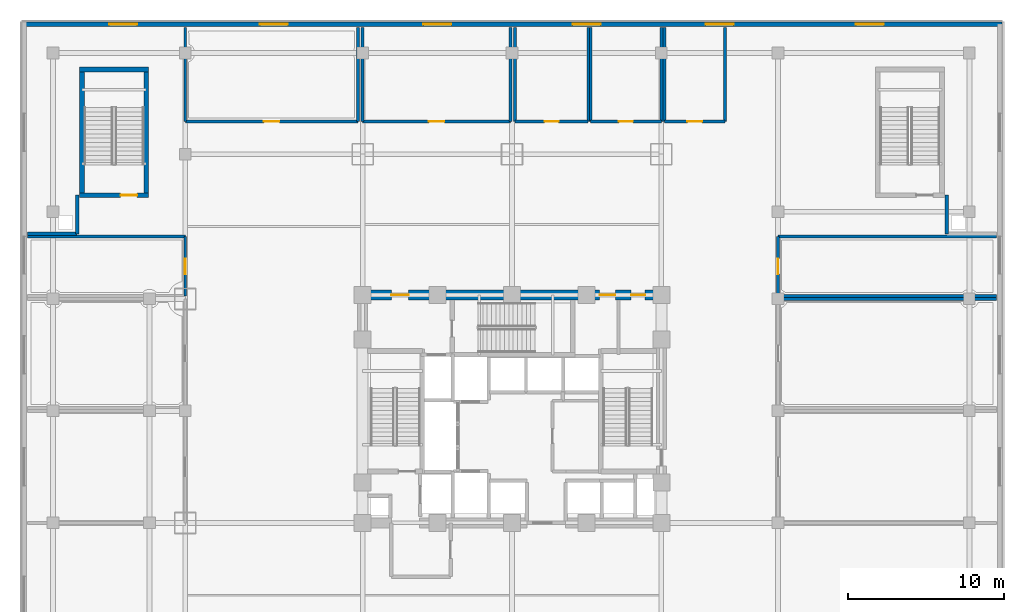
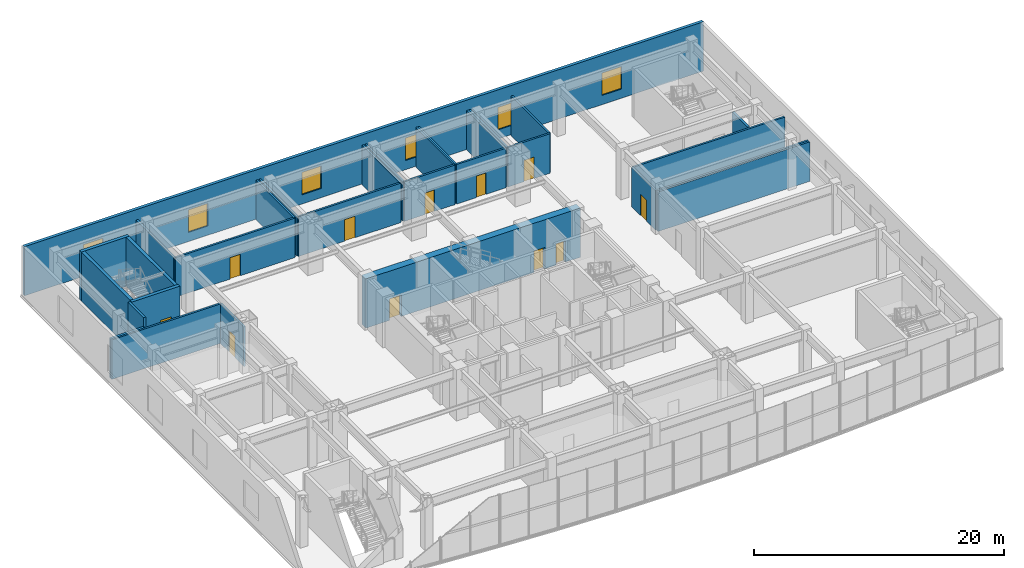
# One storey, part 14 of 24: 30 walls, 11 doors, 6 windows, 17 openings.
"""IFC4 building model written with IfcOpenShell, lengths in metres."""

from ifc_helpers import new_model, si_unit, direction, frame, frame_2d, origin, place, context, subcontext, project, spatial, rectangle, extrude, material, layer, layer_set, type_object, element, fill, save


model = new_model("IFC4")

# Units and contexts
model_context = context("Model", 3, precision=1e-05, world=origin(), true_north=direction((0.0, 1.0)))
body_context = subcontext(model_context, "Body", "Model", "MODEL_VIEW")
ifc_project = project(units=[si_unit("LENGTHUNIT", "METRE"), si_unit("AREAUNIT", "SQUARE_METRE"), si_unit("VOLUMEUNIT", "CUBIC_METRE"), si_unit("PLANEANGLEUNIT", "RADIAN"), si_unit("MASSUNIT", "GRAM", prefix="KILO")], contexts=[model_context])

# Site, building, storey
site_placement = place(None, origin())
site = spatial("IfcSite", under=ifc_project, at=site_placement, CompositionType="ELEMENT")
building_placement = place(site_placement, origin())
building = spatial("IfcBuilding", under=site, at=building_placement, Name="Vantalir Tower", CompositionType="ELEMENT")
storey_placement = place(building_placement, frame((0.0, 0.0, 11.0)))
storey = spatial("IfcBuildingStorey", under=building, at=storey_placement, Name="L02", CompositionType="ELEMENT", Elevation=11.0)

# Wall, openings, doors
ifc_material_1 = material(Name="Concrete C60/75", Category="concrete")
ifc_layer_1 = layer(ifc_material_1, 0.64990234375)
ifc_layer_set_1 = layer_set([ifc_layer_1], Name="Concrete C60/75")
wall_type_1 = type_object("IfcWallType", Name="WL-CORE-650", PredefinedType="SHEAR", material=ifc_layer_set_1)
wall_1_placement = place(storey_placement, frame((21.574951171875, 32.449951171875, 0.0), z_axis=(0.0, 0.0, 1.0), x_axis=(1.0, 0.0, 0.0)))
wall_1 = element("IfcWall", 1, at=wall_1_placement, inside=storey, type_object=wall_type_1, Name="Floor 2 Core Shear Wall North", PredefinedType="SHEAR", context=body_context, shape_type="SweptSolid", body=[
    extrude(rectangle(XDim=19.85009765625, YDim=0.64990234375, at=frame_2d((9.925048828125, 0.0))), origin(), (0.0, 0.0, 1.0), 4.820068359375),
])
opening_1_placement = place(wall_1_placement, frame((2.175048828125, 0.0, 0.0)))
opening_1 = element("IfcOpeningElement", 2, at=opening_1_placement, cuts=wall_1, Name="Opening D-FFL", PredefinedType="OPENING", context=body_context, shape_type="SweptSolid", body=[
    extrude(rectangle(XDim=1.10009765625, YDim=2.10009765625, at=frame_2d((0.550048828125, 1.050048828125))), frame((0.0, 0.3349609375, 0.0), z_axis=(0.0, -1.0, 0.0), x_axis=(1.0, 0.0, 0.0)), (0.0, 0.0, 1.0), 0.669921875),
])
opening_2_placement = place(wall_1_placement, frame((15.56494140625, 0.0, 0.0)))
opening_2 = element("IfcOpeningElement", 3, at=opening_2_placement, cuts=wall_1, Name="Opening D-GUEST", PredefinedType="OPENING", context=body_context, shape_type="SweptSolid", body=[
    extrude(rectangle(XDim=1.0, YDim=2.10009765625, at=frame_2d((0.5, 1.050048828125))), frame((0.0, 0.3349609375, 0.0), z_axis=(0.0, -1.0, 0.0), x_axis=(1.0, 0.0, 0.0)), (0.0, 0.0, 1.0), 0.669921875),
])
opening_3_placement = place(wall_1_placement, frame((17.574951171875, 0.0, 0.0)))
opening_3 = element("IfcOpeningElement", 4, at=opening_3_placement, cuts=wall_1, Name="Opening D-CR", PredefinedType="OPENING", context=body_context, shape_type="SweptSolid", body=[
    extrude(rectangle(XDim=0.89990234375, YDim=2.10009765625, at=frame_2d((0.449951171875, 1.050048828125))), frame((0.0, 0.3349609375, 0.0), z_axis=(0.0, -1.0, 0.0), x_axis=(1.0, 0.0, 0.0)), (0.0, 0.0, 1.0), 0.669921875),
])
ifc_material_2 = material(Name="Fire-rated steel core service door", Category="steel")
door_type_1 = type_object("IfcDoorType", Name="DR-CORE-SERV-900", OperationType="NOTDEFINED", PredefinedType="DOOR", material=ifc_material_2)
door_1_placement = place(opening_3_placement, frame((0.89990234375, 0.0, 0.0), z_axis=(0.0, 0.0, 1.0), x_axis=(-1.0, 0.0, 0.0)))
door_1 = element("IfcDoor", 5, at=door_1_placement, inside=storey, type_object=door_type_1, Name="Floor 2 Housekeeping and Linen Room Door", OperationType="SINGLE_SWING_RIGHT", OverallHeight=2.10009765625, OverallWidth=0.89990234375, PredefinedType="DOOR", context=body_context, shape_type="SweptSolid", body=[
    extrude(rectangle(XDim=0.89990234375, YDim=2.10009765625, at=frame_2d((0.449951171875, 1.050048828125))), frame((0.0, 0.02490234375, 0.0), z_axis=(0.0, -1.0, 0.0), x_axis=(1.0, 0.0, 0.0)), (0.0, 0.0, 1.0), 0.050048828125),
])
fill(opening_3, door_1)
ifc_material_3 = material(Name="Fire-rated acoustic steel door", Category="steel")
door_type_2 = type_object("IfcDoorType", Name="DR-FIRE-LOBBY-1100", OperationType="NOTDEFINED", PredefinedType="DOOR", material=ifc_material_3)
door_2_placement = place(opening_1_placement, frame((1.10009765625, 0.0, 0.0), z_axis=(0.0, 0.0, 1.0), x_axis=(-1.0, 0.0, 0.0)))
door_2 = element("IfcDoor", 6, at=door_2_placement, inside=storey, type_object=door_type_2, Name="Floor 2 Firefighting Lobby East Access Door", OperationType="SINGLE_SWING_RIGHT", OverallHeight=2.10009765625, OverallWidth=1.10009765625, PredefinedType="DOOR", context=body_context, shape_type="SweptSolid", body=[
    extrude(rectangle(XDim=1.10009765625, YDim=2.10009765625, at=frame_2d((0.550048828125, 1.050048828125))), frame((0.0, 0.02490234375, 0.0), z_axis=(0.0, -1.0, 0.0), x_axis=(1.0, 0.0, 0.0)), (0.0, 0.0, 1.0), 0.050048828125),
])
fill(opening_1, door_2)
ifc_material_4 = material(Name="Solid-core teak veneer acoustic fire door", Category="wood")
door_type_3 = type_object("IfcDoorType", Name="DR-GUEST-ENTRY-1000", OperationType="NOTDEFINED", PredefinedType="DOOR", material=ifc_material_4)
door_3_placement = place(opening_2_placement, frame((1.0, 0.0, 0.0), z_axis=(0.0, 0.0, 1.0), x_axis=(-1.0, 0.0, 0.0)))
door_3 = element("IfcDoor", 7, at=door_3_placement, inside=storey, type_object=door_type_3, Name="Floor 2 High-Rise Lift Lobby Door", OperationType="SINGLE_SWING_LEFT", OverallHeight=2.10009765625, OverallWidth=1.0, PredefinedType="DOOR", context=body_context, shape_type="SweptSolid", body=[
    extrude(rectangle(XDim=1.0, YDim=2.10009765625, at=frame_2d((0.5, 1.050048828125))), frame((0.0, 0.02490234375, 0.0), z_axis=(0.0, -1.0, 0.0), x_axis=(1.0, 0.0, 0.0)), (0.0, 0.0, 1.0), 0.050048828125),
])
fill(opening_2, door_3)

# Wall, openings, windows
ifc_material_5 = material(Name="Precast concrete C40/50 with insulated PVDF rainscreen", Category="concrete")
ifc_layer_2 = layer(ifc_material_5, 0.280029296875)
ifc_layer_set_2 = layer_set([ifc_layer_2], Name="Precast concrete C40/50 with insulated PVDF rainscreen")
wall_type_2 = type_object("IfcWallType", Name="WL-EXT-POD-280", PredefinedType="SOLIDWALL", material=ifc_layer_set_2)
wall_2_placement = place(storey_placement, frame((63.0, 49.860107421875, 0.0), z_axis=(0.0, 0.0, 1.0), x_axis=(-1.0, 0.0, 0.0)))
wall_2 = element("IfcWall", 8, at=wall_2_placement, inside=storey, type_object=wall_type_2, Name="Level 02 Podium North Street Facade Wall", PredefinedType="SOLIDWALL", context=body_context, shape_type="SweptSolid", body=[
    extrude(rectangle(XDim=62.860107421875, YDim=0.280029296875, at=frame_2d((31.43017578125, 0.0))), origin(), (0.0, 0.0, 1.0), 4.820068359375),
])
opening_4_placement = place(wall_2_placement, frame((55.60009765625, 0.0, 0.89990234375)))
opening_4 = element("IfcOpeningElement", 9, at=opening_4_placement, cuts=wall_2, Name="Opening WN-2", PredefinedType="OPENING", context=body_context, shape_type="SweptSolid", body=[
    extrude(rectangle(XDim=1.800048828125, YDim=2.199951171875, at=frame_2d((0.89990234375, 1.10009765625))), frame((0.0, 0.14990234375, 0.0), z_axis=(0.0, -1.0, 0.0), x_axis=(1.0, 0.0, 0.0)), (0.0, 0.0, 1.0), 0.300048828125),
])
opening_5_placement = place(wall_2_placement, frame((45.89990234375, 0.0, 0.89990234375)))
opening_5 = element("IfcOpeningElement", 10, at=opening_5_placement, cuts=wall_2, Name="Opening WN-2", PredefinedType="OPENING", context=body_context, shape_type="SweptSolid", body=[
    extrude(rectangle(XDim=1.800048828125, YDim=2.199951171875, at=frame_2d((0.89990234375, 1.10009765625))), frame((0.0, 0.14990234375, 0.0), z_axis=(0.0, -1.0, 0.0), x_axis=(1.0, 0.0, 0.0)), (0.0, 0.0, 1.0), 0.300048828125),
])
opening_6_placement = place(wall_2_placement, frame((35.39990234375, 0.0, 0.89990234375)))
opening_6 = element("IfcOpeningElement", 11, at=opening_6_placement, cuts=wall_2, Name="Opening WN-2", PredefinedType="OPENING", context=body_context, shape_type="SweptSolid", body=[
    extrude(rectangle(XDim=1.800048828125, YDim=2.199951171875, at=frame_2d((0.89990234375, 1.10009765625))), frame((0.0, 0.14990234375, 0.0), z_axis=(0.0, -1.0, 0.0), x_axis=(1.0, 0.0, 0.0)), (0.0, 0.0, 1.0), 0.300048828125),
])
opening_7_placement = place(wall_2_placement, frame((25.800048828125, 0.0, 0.89990234375)))
opening_7 = element("IfcOpeningElement", 12, at=opening_7_placement, cuts=wall_2, Name="Opening WN-2", PredefinedType="OPENING", context=body_context, shape_type="SweptSolid", body=[
    extrude(rectangle(XDim=1.800048828125, YDim=2.199951171875, at=frame_2d((0.89990234375, 1.10009765625))), frame((0.0, 0.14990234375, 0.0), z_axis=(0.0, -1.0, 0.0), x_axis=(1.0, 0.0, 0.0)), (0.0, 0.0, 1.0), 0.300048828125),
])
opening_8_placement = place(wall_2_placement, frame((17.25, 0.0, 0.89990234375)))
opening_8 = element("IfcOpeningElement", 13, at=opening_8_placement, cuts=wall_2, Name="Opening WN-2", PredefinedType="OPENING", context=body_context, shape_type="SweptSolid", body=[
    extrude(rectangle(XDim=1.800048828125, YDim=2.199951171875, at=frame_2d((0.89990234375, 1.10009765625))), frame((0.0, 0.14990234375, 0.0), z_axis=(0.0, -1.0, 0.0), x_axis=(1.0, 0.0, 0.0)), (0.0, 0.0, 1.0), 0.300048828125),
])
opening_9_placement = place(wall_2_placement, frame((7.60009765625, 0.0, 0.89990234375)))
opening_9 = element("IfcOpeningElement", 14, at=opening_9_placement, cuts=wall_2, Name="Opening WN-2", PredefinedType="OPENING", context=body_context, shape_type="SweptSolid", body=[
    extrude(rectangle(XDim=1.800048828125, YDim=2.199951171875, at=frame_2d((0.89990234375, 1.10009765625))), frame((0.0, 0.14990234375, 0.0), z_axis=(0.0, -1.0, 0.0), x_axis=(1.0, 0.0, 0.0)), (0.0, 0.0, 1.0), 0.300048828125),
])
ifc_material_6 = material(Name="Double-silver Low-E thermally broken window", Category="glass")
window_type = type_object("IfcWindowType", Name="WIN-POD-1800x2200", PartitioningType="SINGLE_PANEL", PredefinedType="WINDOW", material=ifc_material_6)
window_1_placement = place(opening_4_placement, origin())
window_1 = element("IfcWindow", 15, at=window_1_placement, inside=storey, type_object=window_type, Name="Level 02 North Podium Window N01", OverallHeight=2.199951171875, OverallWidth=1.800048828125, PartitioningType="SINGLE_PANEL", PredefinedType="WINDOW", context=body_context, shape_type="SweptSolid", body=[
    extrude(rectangle(XDim=1.800048828125, YDim=2.199951171875, at=frame_2d((0.89990234375, 1.10009765625))), frame((0.0, 0.030029296875, 0.0), z_axis=(0.0, -1.0, 0.0), x_axis=(1.0, 0.0, 0.0)), (0.0, 0.0, 1.0), 0.06005859375),
])
fill(opening_4, window_1)
window_2_placement = place(opening_5_placement, origin())
window_2 = element("IfcWindow", 16, at=window_2_placement, inside=storey, type_object=window_type, Name="Level 02 North Podium Window N02", OverallHeight=2.199951171875, OverallWidth=1.800048828125, PartitioningType="SINGLE_PANEL", PredefinedType="WINDOW", context=body_context, shape_type="SweptSolid", body=[
    extrude(rectangle(XDim=1.800048828125, YDim=2.199951171875, at=frame_2d((0.89990234375, 1.10009765625))), frame((0.0, 0.030029296875, 0.0), z_axis=(0.0, -1.0, 0.0), x_axis=(1.0, 0.0, 0.0)), (0.0, 0.0, 1.0), 0.06005859375),
])
fill(opening_5, window_2)
window_3_placement = place(opening_6_placement, origin())
window_3 = element("IfcWindow", 17, at=window_3_placement, inside=storey, type_object=window_type, Name="Level 02 North Podium Window N03", OverallHeight=2.199951171875, OverallWidth=1.800048828125, PartitioningType="SINGLE_PANEL", PredefinedType="WINDOW", context=body_context, shape_type="SweptSolid", body=[
    extrude(rectangle(XDim=1.800048828125, YDim=2.199951171875, at=frame_2d((0.89990234375, 1.10009765625))), frame((0.0, 0.030029296875, 0.0), z_axis=(0.0, -1.0, 0.0), x_axis=(1.0, 0.0, 0.0)), (0.0, 0.0, 1.0), 0.06005859375),
])
fill(opening_6, window_3)
window_4_placement = place(opening_7_placement, origin())
window_4 = element("IfcWindow", 18, at=window_4_placement, inside=storey, type_object=window_type, Name="Level 02 North Podium Window N04", OverallHeight=2.199951171875, OverallWidth=1.800048828125, PartitioningType="SINGLE_PANEL", PredefinedType="WINDOW", context=body_context, shape_type="SweptSolid", body=[
    extrude(rectangle(XDim=1.800048828125, YDim=2.199951171875, at=frame_2d((0.89990234375, 1.10009765625))), frame((0.0, 0.030029296875, 0.0), z_axis=(0.0, -1.0, 0.0), x_axis=(1.0, 0.0, 0.0)), (0.0, 0.0, 1.0), 0.06005859375),
])
fill(opening_7, window_4)
window_5_placement = place(opening_8_placement, origin())
window_5 = element("IfcWindow", 19, at=window_5_placement, inside=storey, type_object=window_type, Name="Level 02 North Podium Window N05", OverallHeight=2.199951171875, OverallWidth=1.800048828125, PartitioningType="SINGLE_PANEL", PredefinedType="WINDOW", context=body_context, shape_type="SweptSolid", body=[
    extrude(rectangle(XDim=1.800048828125, YDim=2.199951171875, at=frame_2d((0.89990234375, 1.10009765625))), frame((0.0, 0.030029296875, 0.0), z_axis=(0.0, -1.0, 0.0), x_axis=(1.0, 0.0, 0.0)), (0.0, 0.0, 1.0), 0.06005859375),
])
fill(opening_8, window_5)
window_6_placement = place(opening_9_placement, origin())
window_6 = element("IfcWindow", 20, at=window_6_placement, inside=storey, type_object=window_type, Name="Level 02 North Podium Window N06", OverallHeight=2.199951171875, OverallWidth=1.800048828125, PartitioningType="SINGLE_PANEL", PredefinedType="WINDOW", context=body_context, shape_type="SweptSolid", body=[
    extrude(rectangle(XDim=1.800048828125, YDim=2.199951171875, at=frame_2d((0.89990234375, 1.10009765625))), frame((0.0, 0.030029296875, 0.0), z_axis=(0.0, -1.0, 0.0), x_axis=(1.0, 0.0, 0.0)), (0.0, 0.0, 1.0), 0.06005859375),
])
fill(opening_9, window_6)

# Walls
ifc_material_7 = material(Name="Concrete blockwork with fireboard lining", Category="masonry")
ifc_layer_3 = layer(ifc_material_7, 0.219970703125)
ifc_layer_set_3 = layer_set([ifc_layer_3], Name="Concrete blockwork with fireboard lining")
wall_type_3 = type_object("IfcWallType", Name="WL-FFL-220", PredefinedType="PARTITIONING", material=ifc_layer_set_3)
wall_3_placement = place(storey_placement, frame((0.35009765625, 36.3798828125, 0.0), z_axis=(0.0, 0.0, 1.0), x_axis=(1.0, 0.0, 0.0)))
element("IfcWall", 21, at=wall_3_placement, inside=storey, type_object=wall_type_3, Name="Floor 2 North-West Service Riser South Wall", PredefinedType="PARTITIONING", context=body_context, shape_type="SweptSolid", body=[
    extrude(rectangle(XDim=3.199951171875, YDim=0.219970703125, at=frame_2d((1.60009765625, 0.0))), origin(), (0.0, 0.0, 1.0), 3.867919921875),
])
wall_4_placement = place(storey_placement, frame((3.550048828125, 36.3798828125, 0.0), z_axis=(0.0, 0.0, 1.0), x_axis=(0.0, 1.0, 0.0)))
element("IfcWall", 22, at=wall_4_placement, inside=storey, type_object=wall_type_3, Name="Floor 2 North-West Service Riser East Wall", PredefinedType="PARTITIONING", context=body_context, shape_type="SweptSolid", body=[
    extrude(rectangle(XDim=2.480224609375, YDim=0.219970703125, at=frame_2d((1.240234375, 0.0))), origin(), (0.0, 0.0, 1.0), 4.800048828125),
])
wall_5_placement = place(storey_placement, frame((59.449951171875, 36.3798828125, 0.0), z_axis=(0.0, 0.0, 1.0), x_axis=(0.0, 1.0, 0.0)))
element("IfcWall", 23, at=wall_5_placement, inside=storey, type_object=wall_type_3, Name="Floor 2 North-East Service Riser West Wall", PredefinedType="PARTITIONING", context=body_context, shape_type="SweptSolid", body=[
    extrude(rectangle(XDim=2.480224609375, YDim=0.219970703125, at=frame_2d((1.240234375, 0.0))), origin(), (0.0, 0.0, 1.0), 3.867919921875),
])
ifc_material_8 = material(Name="Twin-stud acoustic fire-rated gypsum partition", Category="gypsum")
ifc_layer_4 = layer(ifc_material_8, 0.179931640625)
ifc_layer_set_4 = layer_set([ifc_layer_4], Name="Twin-stud acoustic fire-rated gypsum partition")
wall_type_4 = type_object("IfcWallType", Name="WL-GUEST-180", PredefinedType="PARTITIONING", material=ifc_layer_set_4)
wall_6_placement = place(storey_placement, frame((0.35009765625, 36.199951171875, 0.0), z_axis=(0.0, 0.0, 1.0), x_axis=(1.0, 0.0, 0.0)))
element("IfcWall", 24, at=wall_6_placement, inside=storey, type_object=wall_type_4, Name="Floor 2 Seminar Room 1 North Wall", PredefinedType="PARTITIONING", context=body_context, shape_type="SweptSolid", body=[
    extrude(rectangle(XDim=10.14990234375, YDim=0.179931640625, at=frame_2d((5.074951171875, 0.0))), origin(), (0.0, 0.0, 1.0), 3.867919921875),
])

# Wall, opening, door
wall_7_placement = place(storey_placement, frame((10.5, 32.3798828125, 0.0), z_axis=(0.0, 0.0, 1.0), x_axis=(0.0, 1.0, 0.0)))
wall_7 = element("IfcWall", 25, at=wall_7_placement, inside=storey, type_object=wall_type_4, Name="Floor 2 Seminar Room 1 East Wall", PredefinedType="PARTITIONING", context=body_context, shape_type="SweptSolid", body=[
    extrude(rectangle(XDim=3.820068359375, YDim=0.179931640625, at=frame_2d((1.91015625, 0.0))), origin(), (0.0, 0.0, 1.0), 3.867919921875),
])
opening_10_placement = place(wall_7_placement, frame((1.409912109375, 0.0, 0.0)))
opening_10 = element("IfcOpeningElement", 26, at=opening_10_placement, cuts=wall_7, Name="Opening D-GUEST", PredefinedType="OPENING", context=body_context, shape_type="SweptSolid", body=[
    extrude(rectangle(XDim=1.0, YDim=2.10009765625, at=frame_2d((0.5, 1.050048828125))), frame((0.0, 0.099853515625, 0.0), z_axis=(0.0, -1.0, 0.0), x_axis=(1.0, 0.0, 0.0)), (0.0, 0.0, 1.0), 0.199951171875),
])
door_4_placement = place(opening_10_placement, origin())
door_4 = element("IfcDoor", 27, at=door_4_placement, inside=storey, type_object=door_type_3, Name="Floor 2 Seminar Room 1 Door", OperationType="SINGLE_SWING_RIGHT", OverallHeight=2.10009765625, OverallWidth=1.0, PredefinedType="DOOR", context=body_context, shape_type="SweptSolid", body=[
    extrude(rectangle(XDim=1.0, YDim=2.10009765625, at=frame_2d((0.5, 1.050048828125))), frame((0.0, 0.02490234375, 0.0), z_axis=(0.0, -1.0, 0.0), x_axis=(1.0, 0.0, 0.0)), (0.0, 0.0, 1.0), 0.050048828125),
])
fill(opening_10, door_4)

# Walls
for number, where, z_axis, x_axis, name in (
    (28, (48.60009765625, 32.199951171875, 0.0), (0.0, 0.0, 1.0), (1.0, 0.0, 0.0), "Floor 2 Conference Room 2 North Wall"),
    (29, (48.60009765625, 32.3798828125, 0.0), (0.0, 0.0, 1.0), (1.0, 0.0, 0.0), "Floor 2 Seminar Room 2 South Wall"),
    (30, (48.60009765625, 36.199951171875, 0.0), (0.0, 0.0, 1.0), (1.0, 0.0, 0.0), "Floor 2 Seminar Room 2 North Wall"),
):
    element("IfcWall", number, at=place(storey_placement, frame(where, z_axis=z_axis, x_axis=x_axis)), inside=storey, type_object=wall_type_4, Name=name, PredefinedType="PARTITIONING", context=body_context, shape_type="SweptSolid", body=[
        extrude(rectangle(XDim=14.0498046875, YDim=0.179931640625, at=frame_2d((7.02490234375, 0.0))), origin(), (0.0, 0.0, 1.0), 3.867919921875),
    ])

# Wall, opening, door
wall_8_placement = place(storey_placement, frame((48.60009765625, 32.3798828125, 0.0), z_axis=(0.0, 0.0, 1.0), x_axis=(0.0, 1.0, 0.0)))
wall_8 = element("IfcWall", 31, at=wall_8_placement, inside=storey, type_object=wall_type_4, Name="Floor 2 Seminar Room 2 West Wall", PredefinedType="PARTITIONING", context=body_context, shape_type="SweptSolid", body=[
    extrude(rectangle(XDim=3.820068359375, YDim=0.179931640625, at=frame_2d((1.91015625, 0.0))), origin(), (0.0, 0.0, 1.0), 3.867919921875),
])
opening_11_placement = place(wall_8_placement, frame((1.409912109375, 0.0, 0.0)))
opening_11 = element("IfcOpeningElement", 32, at=opening_11_placement, cuts=wall_8, Name="Opening D-GUEST", PredefinedType="OPENING", context=body_context, shape_type="SweptSolid", body=[
    extrude(rectangle(XDim=1.0, YDim=2.10009765625, at=frame_2d((0.5, 1.050048828125))), frame((0.0, 0.099853515625, 0.0), z_axis=(0.0, -1.0, 0.0), x_axis=(1.0, 0.0, 0.0)), (0.0, 0.0, 1.0), 0.199951171875),
])
door_5_placement = place(opening_11_placement, frame((1.0, 0.0, 0.0), z_axis=(0.0, 0.0, 1.0), x_axis=(-1.0, 0.0, 0.0)))
door_5 = element("IfcDoor", 33, at=door_5_placement, inside=storey, type_object=door_type_3, Name="Floor 2 Seminar Room 2 Door", OperationType="SINGLE_SWING_RIGHT", OverallHeight=2.10009765625, OverallWidth=1.0, PredefinedType="DOOR", context=body_context, shape_type="SweptSolid", body=[
    extrude(rectangle(XDim=1.0, YDim=2.10009765625, at=frame_2d((0.5, 1.050048828125))), frame((0.0, 0.02490234375, 0.0), z_axis=(0.0, -1.0, 0.0), x_axis=(1.0, 0.0, 0.0)), (0.0, 0.0, 1.0), 0.050048828125),
])
fill(opening_11, door_5)

wall_9_placement = place(storey_placement, frame((10.5, 43.60009765625, 0.0), z_axis=(0.0, 0.0, 1.0), x_axis=(1.0, 0.0, 0.0)))
wall_9 = element("IfcWall", 34, at=wall_9_placement, inside=storey, type_object=wall_type_4, Name="Floor 2 Conference Administration Office South Wall", PredefinedType="PARTITIONING", context=body_context, shape_type="SweptSolid", body=[
    extrude(rectangle(XDim=11.10009765625, YDim=0.179931640625, at=frame_2d((5.550048828125, 0.0))), origin(), (0.0, 0.0, 1.0), 3.867919921875),
])
opening_12_placement = place(wall_9_placement, frame((5.050048828125, 0.0, 0.0)))
opening_12 = element("IfcOpeningElement", 35, at=opening_12_placement, cuts=wall_9, Name="Opening D-GUEST", PredefinedType="OPENING", context=body_context, shape_type="SweptSolid", body=[
    extrude(rectangle(XDim=1.0, YDim=2.10009765625, at=frame_2d((0.5, 1.050048828125))), frame((0.0, 0.099853515625, 0.0), z_axis=(0.0, -1.0, 0.0), x_axis=(1.0, 0.0, 0.0)), (0.0, 0.0, 1.0), 0.199951171875),
])
door_6_placement = place(opening_12_placement, origin())
door_6 = element("IfcDoor", 36, at=door_6_placement, inside=storey, type_object=door_type_3, Name="Floor 2 Conference Administration Office Door", OperationType="SINGLE_SWING_LEFT", OverallHeight=2.10009765625, OverallWidth=1.0, PredefinedType="DOOR", context=body_context, shape_type="SweptSolid", body=[
    extrude(rectangle(XDim=1.0, YDim=2.10009765625, at=frame_2d((0.5, 1.050048828125))), frame((0.0, 0.02490234375, 0.0), z_axis=(0.0, -1.0, 0.0), x_axis=(1.0, 0.0, 0.0)), (0.0, 0.0, 1.0), 0.050048828125),
])
fill(opening_12, door_6)

# Walls
for number, where, z_axis, x_axis, name in (
    (37, (10.5, 43.60009765625, 0.0), (0.0, 0.0, 1.0), (0.0, 1.0, 0.0), "Floor 2 Conference Administration Office West Wall"),
    (38, (21.60009765625, 43.60009765625, 0.0), (0.0, 0.0, 1.0), (0.0, 1.0, 0.0), "Floor 2 Conference Administration Office East Wall"),
):
    element("IfcWall", number, at=place(storey_placement, frame(where, z_axis=z_axis, x_axis=x_axis)), inside=storey, type_object=wall_type_4, Name=name, PredefinedType="PARTITIONING", context=body_context, shape_type="SweptSolid", body=[
        extrude(rectangle(XDim=6.0498046875, YDim=0.179931640625, at=frame_2d((3.02490234375, 0.0))), origin(), (0.0, 0.0, 1.0), 3.867919921875),
    ])

# Wall, opening, door
wall_10_placement = place(storey_placement, frame((21.89990234375, 43.60009765625, 0.0), z_axis=(0.0, 0.0, 1.0), x_axis=(1.0, 0.0, 0.0)))
wall_10 = element("IfcWall", 39, at=wall_10_placement, inside=storey, type_object=wall_type_4, Name="Floor 2 Conference Banquet Kitchen South Wall", PredefinedType="PARTITIONING", context=body_context, shape_type="SweptSolid", body=[
    extrude(rectangle(XDim=9.5, YDim=0.179931640625, at=frame_2d((4.75, 0.0))), origin(), (0.0, 0.0, 1.0), 3.867919921875),
])
opening_13_placement = place(wall_10_placement, frame((4.25, 0.0, 0.0)))
opening_13 = element("IfcOpeningElement", 40, at=opening_13_placement, cuts=wall_10, Name="Opening D-GUEST", PredefinedType="OPENING", context=body_context, shape_type="SweptSolid", body=[
    extrude(rectangle(XDim=1.0, YDim=2.10009765625, at=frame_2d((0.5, 1.050048828125))), frame((0.0, 0.099853515625, 0.0), z_axis=(0.0, -1.0, 0.0), x_axis=(1.0, 0.0, 0.0)), (0.0, 0.0, 1.0), 0.199951171875),
])
door_7_placement = place(opening_13_placement, origin())
door_7 = element("IfcDoor", 41, at=door_7_placement, inside=storey, type_object=door_type_3, Name="Floor 2 Conference Banquet Kitchen Door", OperationType="SINGLE_SWING_RIGHT", OverallHeight=2.10009765625, OverallWidth=1.0, PredefinedType="DOOR", context=body_context, shape_type="SweptSolid", body=[
    extrude(rectangle(XDim=1.0, YDim=2.10009765625, at=frame_2d((0.5, 1.050048828125))), frame((0.0, 0.02490234375, 0.0), z_axis=(0.0, -1.0, 0.0), x_axis=(1.0, 0.0, 0.0)), (0.0, 0.0, 1.0), 0.050048828125),
])
fill(opening_13, door_7)

# Walls
for number, where, z_axis, x_axis, name in (
    (42, (21.89990234375, 43.60009765625, 0.0), (0.0, 0.0, 1.0), (0.0, 1.0, 0.0), "Floor 2 Conference Banquet Kitchen West Wall"),
    (43, (31.39990234375, 43.60009765625, 0.0), (0.0, 0.0, 1.0), (0.0, 1.0, 0.0), "Floor 2 Conference Banquet Kitchen East Wall"),
):
    element("IfcWall", number, at=place(storey_placement, frame(where, z_axis=z_axis, x_axis=x_axis)), inside=storey, type_object=wall_type_4, Name=name, PredefinedType="PARTITIONING", context=body_context, shape_type="SweptSolid", body=[
        extrude(rectangle(XDim=6.0498046875, YDim=0.179931640625, at=frame_2d((3.02490234375, 0.0))), origin(), (0.0, 0.0, 1.0), 3.867919921875),
    ])

# Wall, opening, door
wall_11_placement = place(storey_placement, frame((31.699951171875, 43.60009765625, 0.0), z_axis=(0.0, 0.0, 1.0), x_axis=(1.0, 0.0, 0.0)))
wall_11 = element("IfcWall", 44, at=wall_11_placement, inside=storey, type_object=wall_type_4, Name="Floor 2 Public Male WC South Wall", PredefinedType="PARTITIONING", context=body_context, shape_type="SweptSolid", body=[
    extrude(rectangle(XDim=4.699951171875, YDim=0.179931640625, at=frame_2d((2.35009765625, 0.0))), origin(), (0.0, 0.0, 1.0), 3.867919921875),
])
opening_14_placement = place(wall_11_placement, frame((1.89990234375, 0.0, 0.0)))
opening_14 = element("IfcOpeningElement", 45, at=opening_14_placement, cuts=wall_11, Name="Opening D-WC", PredefinedType="OPENING", context=body_context, shape_type="SweptSolid", body=[
    extrude(rectangle(XDim=0.89990234375, YDim=2.10009765625, at=frame_2d((0.449951171875, 1.050048828125))), frame((0.0, 0.099853515625, 0.0), z_axis=(0.0, -1.0, 0.0), x_axis=(1.0, 0.0, 0.0)), (0.0, 0.0, 1.0), 0.199951171875),
])
ifc_material_9 = material(Name="Moisture-resistant hardwood door", Category="wood")
door_type_4 = type_object("IfcDoorType", Name="DR-ENSUITE-900", OperationType="NOTDEFINED", PredefinedType="DOOR", material=ifc_material_9)
door_8_placement = place(opening_14_placement, origin())
door_8 = element("IfcDoor", 46, at=door_8_placement, inside=storey, type_object=door_type_4, Name="Floor 2 Public Male WC Door", OperationType="SINGLE_SWING_LEFT", OverallHeight=2.10009765625, OverallWidth=0.89990234375, PredefinedType="DOOR", context=body_context, shape_type="SweptSolid", body=[
    extrude(rectangle(XDim=0.89990234375, YDim=2.10009765625, at=frame_2d((0.449951171875, 1.050048828125))), frame((0.0, 0.02490234375, 0.0), z_axis=(0.0, -1.0, 0.0), x_axis=(1.0, 0.0, 0.0)), (0.0, 0.0, 1.0), 0.050048828125),
])
fill(opening_14, door_8)

# Walls
for number, where, z_axis, x_axis, name in (
    (47, (31.699951171875, 43.60009765625, 0.0), (0.0, 0.0, 1.0), (0.0, 1.0, 0.0), "Floor 2 Public Male WC West Wall"),
    (48, (36.39990234375, 43.60009765625, 0.0), (0.0, 0.0, 1.0), (0.0, 1.0, 0.0), "Floor 2 Public Male WC East Wall"),
):
    element("IfcWall", number, at=place(storey_placement, frame(where, z_axis=z_axis, x_axis=x_axis)), inside=storey, type_object=wall_type_4, Name=name, PredefinedType="PARTITIONING", context=body_context, shape_type="SweptSolid", body=[
        extrude(rectangle(XDim=6.0498046875, YDim=0.179931640625, at=frame_2d((3.02490234375, 0.0))), origin(), (0.0, 0.0, 1.0), 3.867919921875),
    ])

# Wall, opening, door
wall_12_placement = place(storey_placement, frame((36.550048828125, 43.60009765625, 0.0), z_axis=(0.0, 0.0, 1.0), x_axis=(1.0, 0.0, 0.0)))
wall_12 = element("IfcWall", 49, at=wall_12_placement, inside=storey, type_object=wall_type_4, Name="Floor 2 Public Female WC South Wall", PredefinedType="PARTITIONING", context=body_context, shape_type="SweptSolid", body=[
    extrude(rectangle(XDim=4.550048828125, YDim=0.179931640625, at=frame_2d((2.27490234375, 0.0))), origin(), (0.0, 0.0, 1.0), 3.867919921875),
])
opening_15_placement = place(wall_12_placement, frame((1.824951171875, 0.0, 0.0)))
opening_15 = element("IfcOpeningElement", 50, at=opening_15_placement, cuts=wall_12, Name="Opening D-WC", PredefinedType="OPENING", context=body_context, shape_type="SweptSolid", body=[
    extrude(rectangle(XDim=0.89990234375, YDim=2.10009765625, at=frame_2d((0.449951171875, 1.050048828125))), frame((0.0, 0.099853515625, 0.0), z_axis=(0.0, -1.0, 0.0), x_axis=(1.0, 0.0, 0.0)), (0.0, 0.0, 1.0), 0.199951171875),
])
door_9_placement = place(opening_15_placement, origin())
door_9 = element("IfcDoor", 51, at=door_9_placement, inside=storey, type_object=door_type_4, Name="Floor 2 Public Female WC Door", OperationType="SINGLE_SWING_RIGHT", OverallHeight=2.10009765625, OverallWidth=0.89990234375, PredefinedType="DOOR", context=body_context, shape_type="SweptSolid", body=[
    extrude(rectangle(XDim=0.89990234375, YDim=2.10009765625, at=frame_2d((0.449951171875, 1.050048828125))), frame((0.0, 0.02490234375, 0.0), z_axis=(0.0, -1.0, 0.0), x_axis=(1.0, 0.0, 0.0)), (0.0, 0.0, 1.0), 0.050048828125),
])
fill(opening_15, door_9)

# Walls
for number, where, z_axis, x_axis, name in (
    (52, (36.550048828125, 43.60009765625, 0.0), (0.0, 0.0, 1.0), (0.0, 1.0, 0.0), "Floor 2 Public Female WC West Wall"),
    (53, (41.10009765625, 43.60009765625, 0.0), (0.0, 0.0, 1.0), (0.0, 1.0, 0.0), "Floor 2 Public Female WC East Wall"),
):
    element("IfcWall", number, at=place(storey_placement, frame(where, z_axis=z_axis, x_axis=x_axis)), inside=storey, type_object=wall_type_4, Name=name, PredefinedType="PARTITIONING", context=body_context, shape_type="SweptSolid", body=[
        extrude(rectangle(XDim=6.0498046875, YDim=0.179931640625, at=frame_2d((3.02490234375, 0.0))), origin(), (0.0, 0.0, 1.0), 3.867919921875),
    ])

# Wall, opening, door
wall_13_placement = place(storey_placement, frame((41.300048828125, 43.60009765625, 0.0), z_axis=(0.0, 0.0, 1.0), x_axis=(1.0, 0.0, 0.0)))
wall_13 = element("IfcWall", 54, at=wall_13_placement, inside=storey, type_object=wall_type_4, Name="Floor 2 Accessible WC South Wall", PredefinedType="PARTITIONING", context=body_context, shape_type="SweptSolid", body=[
    extrude(rectangle(XDim=3.89990234375, YDim=0.179931640625, at=frame_2d((1.949951171875, 0.0))), origin(), (0.0, 0.0, 1.0), 3.867919921875),
])
opening_16_placement = place(wall_13_placement, frame((1.47509765625, 0.0, 0.0)))
opening_16 = element("IfcOpeningElement", 55, at=opening_16_placement, cuts=wall_13, Name="Opening D-AWC", PredefinedType="OPENING", context=body_context, shape_type="SweptSolid", body=[
    extrude(rectangle(XDim=0.949951171875, YDim=2.10009765625, at=frame_2d((0.47509765625, 1.050048828125))), frame((0.0, 0.099853515625, 0.0), z_axis=(0.0, -1.0, 0.0), x_axis=(1.0, 0.0, 0.0)), (0.0, 0.0, 1.0), 0.199951171875),
])
ifc_material_10 = material(Name="Accessible toilet outward-opening hardwood door", Category="wood")
door_type_5 = type_object("IfcDoorType", Name="DR-ACC-WC-950", OperationType="NOTDEFINED", PredefinedType="DOOR", material=ifc_material_10)
door_10_placement = place(opening_16_placement, frame((0.949951171875, 0.0, 0.0), z_axis=(0.0, 0.0, 1.0), x_axis=(-1.0, 0.0, 0.0)))
door_10 = element("IfcDoor", 56, at=door_10_placement, inside=storey, type_object=door_type_5, Name="Floor 2 Accessible WC Door", OperationType="SINGLE_SWING_LEFT", OverallHeight=2.10009765625, OverallWidth=0.949951171875, PredefinedType="DOOR", context=body_context, shape_type="SweptSolid", body=[
    extrude(rectangle(XDim=0.949951171875, YDim=2.10009765625, at=frame_2d((0.47509765625, 1.050048828125))), frame((0.0, 0.02490234375, 0.0), z_axis=(0.0, -1.0, 0.0), x_axis=(1.0, 0.0, 0.0)), (0.0, 0.0, 1.0), 0.050048828125),
])
fill(opening_16, door_10)

# Walls
for number, where, z_axis, x_axis, name in (
    (57, (41.300048828125, 43.60009765625, 0.0), (0.0, 0.0, 1.0), (0.0, 1.0, 0.0), "Floor 2 Accessible WC West Wall"),
    (58, (45.199951171875, 43.60009765625, 0.0), (0.0, 0.0, 1.0), (0.0, 1.0, 0.0), "Floor 2 Accessible WC East Wall"),
):
    element("IfcWall", number, at=place(storey_placement, frame(where, z_axis=z_axis, x_axis=x_axis)), inside=storey, type_object=wall_type_4, Name=name, PredefinedType="PARTITIONING", context=body_context, shape_type="SweptSolid", body=[
        extrude(rectangle(XDim=6.0498046875, YDim=0.179931640625, at=frame_2d((3.02490234375, 0.0))), origin(), (0.0, 0.0, 1.0), 3.867919921875),
    ])

# Wall, opening, door
ifc_material_11 = material(Name="Concrete C50/60", Category="concrete")
ifc_layer_5 = layer(ifc_material_11, 0.300048828125)
ifc_layer_set_5 = layer_set([ifc_layer_5], Name="Concrete C50/60")
wall_type_5 = type_object("IfcWallType", Name="WL-STAIR-300", PredefinedType="SHEAR", material=ifc_layer_set_5)
wall_14_placement = place(storey_placement, frame((3.699951171875, 38.860107421875, 0.0), z_axis=(0.0, 0.0, 1.0), x_axis=(1.0, 0.0, 0.0)))
wall_14 = element("IfcWall", 59, at=wall_14_placement, inside=storey, type_object=wall_type_5, Name="Floor 2 PST1 South Wall", PredefinedType="SHEAR", context=body_context, shape_type="SweptSolid", body=[
    extrude(rectangle(XDim=4.449951171875, YDim=0.300048828125, at=frame_2d((2.22509765625, 0.0))), origin(), (0.0, 0.0, 1.0), 4.820068359375),
])
opening_17_placement = place(wall_14_placement, frame((2.64990234375, 0.0, 0.0)))
opening_17 = element("IfcOpeningElement", 60, at=opening_17_placement, cuts=wall_14, Name="Opening D-ST", PredefinedType="OPENING", context=body_context, shape_type="SweptSolid", body=[
    extrude(rectangle(XDim=1.050048828125, YDim=2.10009765625, at=frame_2d((0.52490234375, 1.050048828125))), frame((0.0, 0.159912109375, 0.0), z_axis=(0.0, -1.0, 0.0), x_axis=(1.0, 0.0, 0.0)), (0.0, 0.0, 1.0), 0.320068359375),
])
ifc_material_12 = material(Name="Fire-rated steel door leaf", Category="steel")
door_type_6 = type_object("IfcDoorType", Name="DR-FIRE-STAIR-1050", OperationType="NOTDEFINED", PredefinedType="DOOR", material=ifc_material_12)
door_11_placement = place(opening_17_placement, origin())
door_11 = element("IfcDoor", 61, at=door_11_placement, inside=storey, type_object=door_type_6, Name="Floor 2 Podium Stair PST1 Fire Door", OperationType="SINGLE_SWING_LEFT", OverallHeight=2.10009765625, OverallWidth=1.050048828125, PredefinedType="DOOR", context=body_context, shape_type="SweptSolid", body=[
    extrude(rectangle(XDim=1.050048828125, YDim=2.10009765625, at=frame_2d((0.52490234375, 1.050048828125))), frame((0.0, 0.02490234375, 0.0), z_axis=(0.0, -1.0, 0.0), x_axis=(1.0, 0.0, 0.0)), (0.0, 0.0, 1.0), 0.050048828125),
])
fill(opening_17, door_11)

# Walls
wall_15_placement = place(storey_placement, frame((3.699951171875, 46.93994140625, 0.0), z_axis=(0.0, 0.0, 1.0), x_axis=(1.0, 0.0, 0.0)))
element("IfcWall", 62, at=wall_15_placement, inside=storey, type_object=wall_type_5, Name="Floor 2 PST1 North Wall", PredefinedType="SHEAR", context=body_context, shape_type="SweptSolid", body=[
    extrude(rectangle(XDim=4.449951171875, YDim=0.300048828125, at=frame_2d((2.22509765625, 0.0))), origin(), (0.0, 0.0, 1.0), 4.820068359375),
])
for number, where, z_axis, x_axis, name in (
    (63, (3.860107421875, 38.860107421875, 0.0), (0.0, 0.0, 1.0), (0.0, 1.0, 0.0), "Floor 2 PST1 West Wall"),
    (64, (7.989990234375, 38.860107421875, 0.0), (0.0, 0.0, 1.0), (0.0, 1.0, 0.0), "Floor 2 PST1 East Wall"),
):
    element("IfcWall", number, at=place(storey_placement, frame(where, z_axis=z_axis, x_axis=x_axis)), inside=storey, type_object=wall_type_5, Name=name, PredefinedType="SHEAR", context=body_context, shape_type="SweptSolid", body=[
        extrude(rectangle(XDim=8.079833984375, YDim=0.300048828125, at=frame_2d((4.0400390625, 0.0))), origin(), (0.0, 0.0, 1.0), 4.820068359375),
    ])

save(model, "model.ifc")
